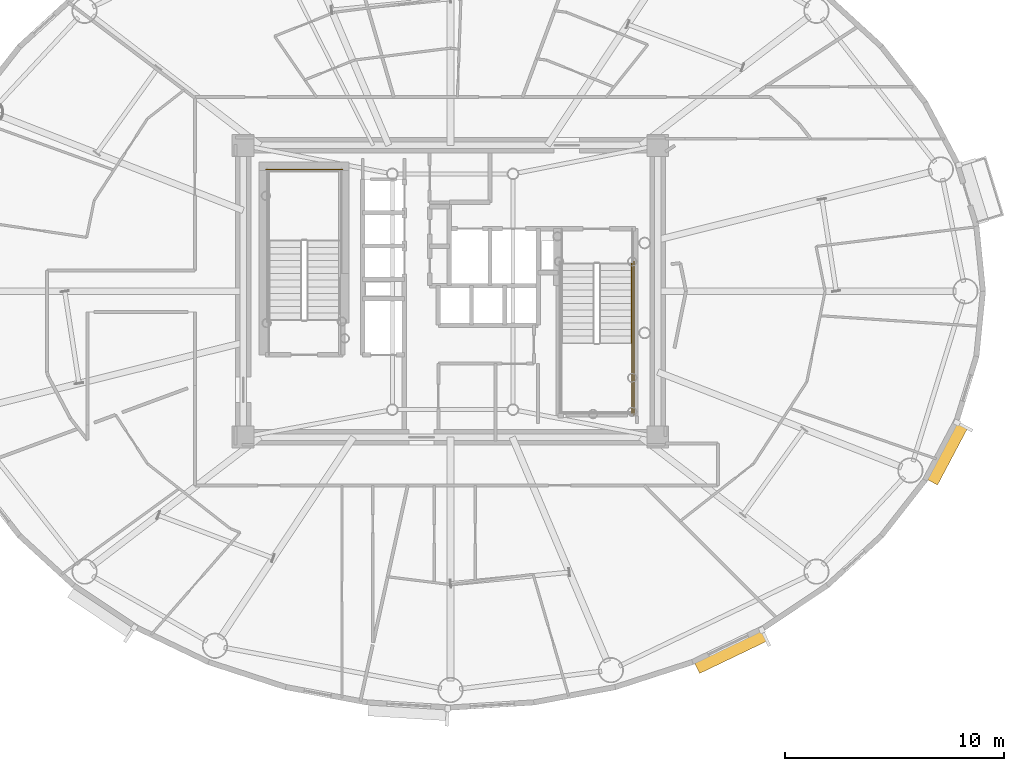
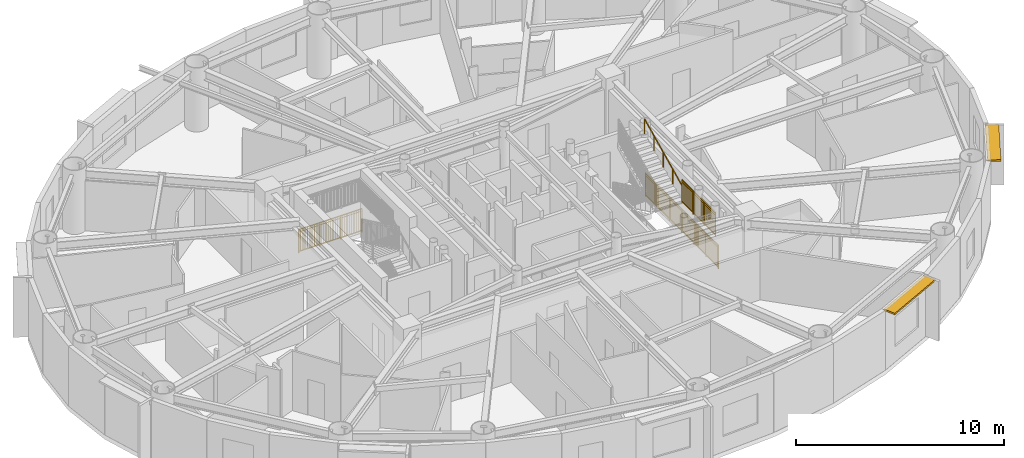
# One storey, part 20 of 22: 4 railings, 2 shading devices.
"""IFC4 building model written with IfcOpenShell, lengths in metres."""

from ifc_helpers import new_model, si_unit, direction, frame, origin, origin_2d, place, context, subcontext, project, spatial, rectangle, extrude, source, transform, mapped, material, layer, layer_set, type_object, element, save


model = new_model("IFC4")

# Units and contexts
model_context = context("Model", 3, precision=1e-05, world=origin(), true_north=direction((0.0, 1.0)))
body_context = subcontext(model_context, "Body", "Model", "MODEL_VIEW")
ifc_project = project(units=[si_unit("LENGTHUNIT", "METRE"), si_unit("AREAUNIT", "SQUARE_METRE"), si_unit("VOLUMEUNIT", "CUBIC_METRE"), si_unit("PLANEANGLEUNIT", "RADIAN"), si_unit("MASSUNIT", "GRAM", prefix="KILO")], contexts=[model_context])

# Site, building, storey
site_placement = place(None, origin())
site = spatial("IfcSite", under=ifc_project, at=site_placement, CompositionType="ELEMENT")
building_placement = place(site_placement, origin())
building = spatial("IfcBuilding", under=site, at=building_placement, Name="Linh Dai School and Residence Tower", CompositionType="ELEMENT")
storey_placement = place(building_placement, frame((0.0, 0.0, 214.050048828125)))
storey = spatial("IfcBuildingStorey", under=building, at=storey_placement, Name="L52", CompositionType="ELEMENT", Elevation=214.050048828125)

# Shading devices
ifc_material_1 = material(Name="Terracotta Ceramic Sunshade", Category="masonry")
ifc_layer = layer(ifc_material_1, 0.10009765625)
ifc_layer_set = layer_set([ifc_layer], Name="Terracotta Ceramic Sunshade")
shading_device_type = type_object("IfcShadingDeviceType", Name="SHD-TC-650", PredefinedType="USERDEFINED", material=ifc_layer_set)
shared_shape_1 = source(origin(), body_context, "Body", "SweptSolid", [
    extrude(rectangle(XDim=3.459716796875, YDim=0.64990234375, at=origin_2d()), origin(), (0.0, 0.0, 1.0), 0.10009765625),
])
shading_device_1_placement = place(storey_placement, frame((48.77880859375, 10.615966796875, 3.3798828125), z_axis=(0.0, 0.0, 1.0), x_axis=(-0.901588864931, -0.432593941973, 0.0)))
element("IfcShadingDevice", 1, at=shading_device_1_placement, inside=storey, type_object=shading_device_type, Name="L52 Terracotta Horizontal Sunshade Band 34", ObjectType="SUNSHADE", PredefinedType="USERDEFINED", context=body_context, shape_type="MappedRepresentation", body=[
    mapped(shared_shape_1, transform((0.0, 0.0, 0.0), x_axis=(1.0, 0.0, 0.0), y_axis=(0.0, 1.0, 0.0), z_axis=(0.0, 0.0, 1.0), scale=1.0)),
])
shared_shape_2 = source(origin(), body_context, "Body", "SweptSolid", [
    extrude(rectangle(XDim=2.986083984375, YDim=0.64990234375, at=origin_2d()), origin(), (0.0, 0.0, 1.0), 0.10009765625),
])
shading_device_2_placement = place(storey_placement, frame((58.614990234375, 19.63623046875, 3.3798828125), z_axis=(0.0, 0.0, 1.0), x_axis=(-0.467621224891, -0.883928950783, 0.0)))
element("IfcShadingDevice", 2, at=shading_device_2_placement, inside=storey, type_object=shading_device_type, Name="L52 Terracotta Horizontal Sunshade Band 38", ObjectType="SUNSHADE", PredefinedType="USERDEFINED", context=body_context, shape_type="MappedRepresentation", body=[
    mapped(shared_shape_2, transform((0.0, 0.0, 0.0), x_axis=(1.0, 0.0, 0.0), y_axis=(0.0, 1.0, 0.0), z_axis=(0.0, 0.0, 1.0), scale=1.0)),
])

# Railings
ifc_material_2 = material(Name="Structural Steel S355JR", Category="steel")
railing_type_1 = type_object("IfcRailingType", Name="RL-ST-GUARD-1400", PredefinedType="GUARDRAIL", material=ifc_material_2)
shared_shape_3 = source(origin(), body_context, "Body", "SweptSolid", [
    extrude(rectangle(XDim=0.048095703125, YDim=0.048095703125, at=origin_2d()), frame((0.0, 0.0, 1.3759765625), z_axis=(-1.0, 0.0, 0.0), x_axis=(0.0, -1.0, 0.0)), (0.0, 0.0, 1.0), 3.5),
    extrude(rectangle(XDim=0.048095703125, YDim=0.048095703125, at=origin_2d()), frame((0.0, 0.0, 0.10009765625), z_axis=(-1.0, 0.0, 0.0), x_axis=(0.0, -1.0, 0.0)), (0.0, 0.0, 1.0), 3.5),
    extrude(rectangle(XDim=0.030029296875, YDim=0.030029296875, at=origin_2d()), frame((0.0, 0.0, 1.239990234375), z_axis=(-1.0, 0.0, 0.0), x_axis=(0.0, -1.0, 0.0)), (0.0, 0.0, 1.0), 3.5),
    extrude(rectangle(XDim=0.02001953125, YDim=0.02001953125, at=origin_2d()), frame((-0.09716796875, 0.0, 0.10009765625)), (0.0, 0.0, 1.0), 1.251708984375),
    extrude(rectangle(XDim=0.02001953125, YDim=0.02001953125, at=origin_2d()), frame((-0.1943359375, 0.0, 0.10009765625)), (0.0, 0.0, 1.0), 1.251708984375),
    extrude(rectangle(XDim=0.02001953125, YDim=0.02001953125, at=origin_2d()), frame((-0.291748046875, 0.0, 0.10009765625)), (0.0, 0.0, 1.0), 1.251708984375),
    extrude(rectangle(XDim=0.02001953125, YDim=0.02001953125, at=origin_2d()), frame((-0.388916015625, 0.0, 0.10009765625)), (0.0, 0.0, 1.0), 1.251708984375),
    extrude(rectangle(XDim=0.02001953125, YDim=0.02001953125, at=origin_2d()), frame((-0.486083984375, 0.0, 0.10009765625)), (0.0, 0.0, 1.0), 1.251708984375),
    extrude(rectangle(XDim=0.02001953125, YDim=0.02001953125, at=origin_2d()), frame((-0.583251953125, 0.0, 0.10009765625)), (0.0, 0.0, 1.0), 1.251708984375),
    extrude(rectangle(XDim=0.02001953125, YDim=0.02001953125, at=origin_2d()), frame((-0.6806640625, 0.0, 0.10009765625)), (0.0, 0.0, 1.0), 1.251708984375),
    extrude(rectangle(XDim=0.02001953125, YDim=0.02001953125, at=origin_2d()), frame((-0.77783203125, 0.0, 0.10009765625)), (0.0, 0.0, 1.0), 1.251708984375),
    extrude(rectangle(XDim=0.02001953125, YDim=0.02001953125, at=origin_2d()), frame((-0.875, 0.0, 0.10009765625)), (0.0, 0.0, 1.0), 1.251708984375),
    extrude(rectangle(XDim=0.02001953125, YDim=0.02001953125, at=origin_2d()), frame((-0.97216796875, 0.0, 0.10009765625)), (0.0, 0.0, 1.0), 1.251708984375),
    extrude(rectangle(XDim=0.02001953125, YDim=0.02001953125, at=origin_2d()), frame((-1.0693359375, 0.0, 0.10009765625)), (0.0, 0.0, 1.0), 1.251708984375),
    extrude(rectangle(XDim=0.02001953125, YDim=0.02001953125, at=origin_2d()), frame((-1.263916015625, 0.0, 0.10009765625)), (0.0, 0.0, 1.0), 1.251708984375),
    extrude(rectangle(XDim=0.02001953125, YDim=0.02001953125, at=origin_2d()), frame((-1.361083984375, 0.0, 0.10009765625)), (0.0, 0.0, 1.0), 1.251708984375),
    extrude(rectangle(XDim=0.02001953125, YDim=0.02001953125, at=origin_2d()), frame((-1.458251953125, 0.0, 0.10009765625)), (0.0, 0.0, 1.0), 1.251708984375),
    extrude(rectangle(XDim=0.02001953125, YDim=0.02001953125, at=origin_2d()), frame((-1.5556640625, 0.0, 0.10009765625)), (0.0, 0.0, 1.0), 1.251708984375),
    extrude(rectangle(XDim=0.02001953125, YDim=0.02001953125, at=origin_2d()), frame((-1.65283203125, 0.0, 0.10009765625)), (0.0, 0.0, 1.0), 1.251708984375),
    extrude(rectangle(XDim=0.02001953125, YDim=0.02001953125, at=origin_2d()), frame((-1.75, 0.0, 0.10009765625)), (0.0, 0.0, 1.0), 1.251708984375),
    extrude(rectangle(XDim=0.02001953125, YDim=0.02001953125, at=origin_2d()), frame((-1.84716796875, 0.0, 0.10009765625)), (0.0, 0.0, 1.0), 1.251708984375),
    extrude(rectangle(XDim=0.02001953125, YDim=0.02001953125, at=origin_2d()), frame((-1.9443359375, 0.0, 0.10009765625)), (0.0, 0.0, 1.0), 1.251708984375),
    extrude(rectangle(XDim=0.02001953125, YDim=0.02001953125, at=origin_2d()), frame((-2.041748046875, 0.0, 0.10009765625)), (0.0, 0.0, 1.0), 1.251708984375),
    extrude(rectangle(XDim=0.02001953125, YDim=0.02001953125, at=origin_2d()), frame((-2.138916015625, 0.0, 0.10009765625)), (0.0, 0.0, 1.0), 1.251708984375),
    extrude(rectangle(XDim=0.02001953125, YDim=0.02001953125, at=origin_2d()), frame((-2.236083984375, 0.0, 0.10009765625)), (0.0, 0.0, 1.0), 1.251708984375),
    extrude(rectangle(XDim=0.02001953125, YDim=0.02001953125, at=origin_2d()), frame((-2.4306640625, 0.0, 0.10009765625)), (0.0, 0.0, 1.0), 1.251708984375),
    extrude(rectangle(XDim=0.02001953125, YDim=0.02001953125, at=origin_2d()), frame((-2.52783203125, 0.0, 0.10009765625)), (0.0, 0.0, 1.0), 1.251708984375),
    extrude(rectangle(XDim=0.02001953125, YDim=0.02001953125, at=origin_2d()), frame((-2.625, 0.0, 0.10009765625)), (0.0, 0.0, 1.0), 1.251708984375),
    extrude(rectangle(XDim=0.02001953125, YDim=0.02001953125, at=origin_2d()), frame((-2.72216796875, 0.0, 0.10009765625)), (0.0, 0.0, 1.0), 1.251708984375),
    extrude(rectangle(XDim=0.02001953125, YDim=0.02001953125, at=origin_2d()), frame((-2.8193359375, 0.0, 0.10009765625)), (0.0, 0.0, 1.0), 1.251708984375),
    extrude(rectangle(XDim=0.02001953125, YDim=0.02001953125, at=origin_2d()), frame((-2.916748046875, 0.0, 0.10009765625)), (0.0, 0.0, 1.0), 1.251708984375),
    extrude(rectangle(XDim=0.02001953125, YDim=0.02001953125, at=origin_2d()), frame((-3.013916015625, 0.0, 0.10009765625)), (0.0, 0.0, 1.0), 1.251708984375),
    extrude(rectangle(XDim=0.02001953125, YDim=0.02001953125, at=origin_2d()), frame((-3.111083984375, 0.0, 0.10009765625)), (0.0, 0.0, 1.0), 1.251708984375),
    extrude(rectangle(XDim=0.02001953125, YDim=0.02001953125, at=origin_2d()), frame((-3.208251953125, 0.0, 0.10009765625)), (0.0, 0.0, 1.0), 1.251708984375),
    extrude(rectangle(XDim=0.02001953125, YDim=0.02001953125, at=origin_2d()), frame((-3.3056640625, 0.0, 0.10009765625)), (0.0, 0.0, 1.0), 1.251708984375),
    extrude(rectangle(XDim=0.02001953125, YDim=0.02001953125, at=origin_2d()), frame((-3.40283203125, 0.0, 0.10009765625)), (0.0, 0.0, 1.0), 1.251708984375),
    extrude(rectangle(XDim=0.0419921875, YDim=0.0419921875, at=origin_2d()), origin(), (0.0, 0.0, 1.0), 1.3759765625),
    extrude(rectangle(XDim=0.0419921875, YDim=0.0419921875, at=origin_2d()), frame((-1.166748046875, 0.0, 0.0)), (0.0, 0.0, 1.0), 1.3759765625),
    extrude(rectangle(XDim=0.0419921875, YDim=0.0419921875, at=origin_2d()), frame((-2.333251953125, 0.0, 0.0)), (0.0, 0.0, 1.0), 1.3759765625),
    extrude(rectangle(XDim=0.0419921875, YDim=0.0419921875, at=origin_2d()), frame((-3.5, 0.0, 0.0)), (0.0, 0.0, 1.0), 1.3759765625),
])
railing_1_placement = place(storey_placement, frame((31.080078125, 32.550048828125, 0.0)))
element("IfcRailing", 3, at=railing_1_placement, inside=storey, type_object=railing_type_1, Name="L52 ST1 stair guard 12", PredefinedType="GUARDRAIL", context=body_context, shape_type="MappedRepresentation", body=[
    mapped(shared_shape_3, transform((0.0, 0.0, 0.0), x_axis=(1.0, 0.0, 0.0), y_axis=(0.0, 1.0, 0.0), z_axis=(0.0, 0.0, 1.0), scale=1.0)),
])
ifc_material_3 = material(Name="Brushed Stainless Steel Handrail", Category="steel")
railing_type_2 = type_object("IfcRailingType", Name="RL-ST-HANDRAIL-900", PredefinedType="HANDRAIL", material=ifc_material_3)
shared_shape_4 = source(origin(), body_context, "Body", "SweptSolid", [
    extrude(rectangle(XDim=0.048095703125, YDim=0.048095703125, at=origin_2d()), frame((0.0, 0.0, 0.8759765625), z_axis=(0.0, 0.901262522062, 0.433273431364), x_axis=(-1.0, 0.0, 0.0)), (0.0, 0.0, 1.0), 3.994384765625),
    extrude(rectangle(XDim=0.0419921875, YDim=0.0419921875, at=origin_2d()), origin(), (0.0, 0.0, 1.0), 0.8759765625),
    extrude(rectangle(XDim=0.0419921875, YDim=0.0419921875, at=origin_2d()), frame((0.0, 0.89990234375, 0.4326171875)), (0.0, 0.0, 1.0), 0.8759765625),
    extrude(rectangle(XDim=0.0419921875, YDim=0.0419921875, at=origin_2d()), frame((0.0, 1.800048828125, 0.865234375)), (0.0, 0.0, 1.0), 0.8759765625),
    extrude(rectangle(XDim=0.0419921875, YDim=0.0419921875, at=origin_2d()), frame((0.0, 2.7001953125, 1.298095703125)), (0.0, 0.0, 1.0), 0.8759765625),
    extrude(rectangle(XDim=0.0419921875, YDim=0.0419921875, at=origin_2d()), frame((0.0, 3.60009765625, 1.730712890625)), (0.0, 0.0, 1.0), 0.8759765625),
])
railing_2_placement = place(storey_placement, frame((44.27001953125, 24.64990234375, 2.019287109375)))
element("IfcRailing", 4, at=railing_2_placement, inside=storey, type_object=railing_type_2, Name="L52 ST2 stair handrail 2", PredefinedType="HANDRAIL", context=body_context, shape_type="MappedRepresentation", body=[
    mapped(shared_shape_4, transform((0.0, 0.0, 0.0), x_axis=(1.0, 0.0, 0.0), y_axis=(0.0, 1.0, 0.0), z_axis=(0.0, 0.0, 1.0), scale=1.0)),
])
shared_shape_5 = source(origin(), body_context, "Body", "SweptSolid", [
    extrude(rectangle(XDim=0.048095703125, YDim=0.048095703125, at=origin_2d()), frame((0.0, 0.0, 1.3759765625), z_axis=(0.0, -1.0, 0.0), x_axis=(1.0, 0.0, 0.0)), (0.0, 0.0, 1.0), 7.0),
    extrude(rectangle(XDim=0.048095703125, YDim=0.048095703125, at=origin_2d()), frame((0.0, 0.0, 0.10009765625), z_axis=(0.0, -1.0, 0.0), x_axis=(1.0, 0.0, 0.0)), (0.0, 0.0, 1.0), 7.0),
    extrude(rectangle(XDim=0.030029296875, YDim=0.030029296875, at=origin_2d()), frame((0.0, 0.0, 1.239990234375), z_axis=(0.0, -1.0, 0.0), x_axis=(1.0, 0.0, 0.0)), (0.0, 0.0, 1.0), 7.0),
    extrude(rectangle(XDim=0.02001953125, YDim=0.02001953125, at=origin_2d()), frame((0.0, -0.09716796875, 0.10009765625)), (0.0, 0.0, 1.0), 1.251708984375),
    extrude(rectangle(XDim=0.02001953125, YDim=0.02001953125, at=origin_2d()), frame((0.0, -0.1943359375, 0.10009765625)), (0.0, 0.0, 1.0), 1.251708984375),
    extrude(rectangle(XDim=0.02001953125, YDim=0.02001953125, at=origin_2d()), frame((0.0, -0.291748046875, 0.10009765625)), (0.0, 0.0, 1.0), 1.251708984375),
    extrude(rectangle(XDim=0.02001953125, YDim=0.02001953125, at=origin_2d()), frame((0.0, -0.388916015625, 0.10009765625)), (0.0, 0.0, 1.0), 1.251708984375),
    extrude(rectangle(XDim=0.02001953125, YDim=0.02001953125, at=origin_2d()), frame((0.0, -0.486083984375, 0.10009765625)), (0.0, 0.0, 1.0), 1.251708984375),
    extrude(rectangle(XDim=0.02001953125, YDim=0.02001953125, at=origin_2d()), frame((0.0, -0.583251953125, 0.10009765625)), (0.0, 0.0, 1.0), 1.251708984375),
    extrude(rectangle(XDim=0.02001953125, YDim=0.02001953125, at=origin_2d()), frame((0.0, -0.6806640625, 0.10009765625)), (0.0, 0.0, 1.0), 1.251708984375),
    extrude(rectangle(XDim=0.02001953125, YDim=0.02001953125, at=origin_2d()), frame((0.0, -0.77783203125, 0.10009765625)), (0.0, 0.0, 1.0), 1.251708984375),
    extrude(rectangle(XDim=0.02001953125, YDim=0.02001953125, at=origin_2d()), frame((0.0, -0.875, 0.10009765625)), (0.0, 0.0, 1.0), 1.251708984375),
    extrude(rectangle(XDim=0.02001953125, YDim=0.02001953125, at=origin_2d()), frame((0.0, -0.97216796875, 0.10009765625)), (0.0, 0.0, 1.0), 1.251708984375),
    extrude(rectangle(XDim=0.02001953125, YDim=0.02001953125, at=origin_2d()), frame((0.0, -1.0693359375, 0.10009765625)), (0.0, 0.0, 1.0), 1.251708984375),
    extrude(rectangle(XDim=0.02001953125, YDim=0.02001953125, at=origin_2d()), frame((0.0, -1.263916015625, 0.10009765625)), (0.0, 0.0, 1.0), 1.251708984375),
    extrude(rectangle(XDim=0.02001953125, YDim=0.02001953125, at=origin_2d()), frame((0.0, -1.361083984375, 0.10009765625)), (0.0, 0.0, 1.0), 1.251708984375),
    extrude(rectangle(XDim=0.02001953125, YDim=0.02001953125, at=origin_2d()), frame((0.0, -1.458251953125, 0.10009765625)), (0.0, 0.0, 1.0), 1.251708984375),
    extrude(rectangle(XDim=0.02001953125, YDim=0.02001953125, at=origin_2d()), frame((0.0, -1.5556640625, 0.10009765625)), (0.0, 0.0, 1.0), 1.251708984375),
    extrude(rectangle(XDim=0.02001953125, YDim=0.02001953125, at=origin_2d()), frame((0.0, -1.65283203125, 0.10009765625)), (0.0, 0.0, 1.0), 1.251708984375),
    extrude(rectangle(XDim=0.02001953125, YDim=0.02001953125, at=origin_2d()), frame((0.0, -1.75, 0.10009765625)), (0.0, 0.0, 1.0), 1.251708984375),
    extrude(rectangle(XDim=0.02001953125, YDim=0.02001953125, at=origin_2d()), frame((0.0, -1.84716796875, 0.10009765625)), (0.0, 0.0, 1.0), 1.251708984375),
    extrude(rectangle(XDim=0.02001953125, YDim=0.02001953125, at=origin_2d()), frame((0.0, -1.9443359375, 0.10009765625)), (0.0, 0.0, 1.0), 1.251708984375),
    extrude(rectangle(XDim=0.02001953125, YDim=0.02001953125, at=origin_2d()), frame((0.0, -2.041748046875, 0.10009765625)), (0.0, 0.0, 1.0), 1.251708984375),
    extrude(rectangle(XDim=0.02001953125, YDim=0.02001953125, at=origin_2d()), frame((0.0, -2.138916015625, 0.10009765625)), (0.0, 0.0, 1.0), 1.251708984375),
    extrude(rectangle(XDim=0.02001953125, YDim=0.02001953125, at=origin_2d()), frame((0.0, -2.236083984375, 0.10009765625)), (0.0, 0.0, 1.0), 1.251708984375),
    extrude(rectangle(XDim=0.02001953125, YDim=0.02001953125, at=origin_2d()), frame((0.0, -2.4306640625, 0.10009765625)), (0.0, 0.0, 1.0), 1.251708984375),
    extrude(rectangle(XDim=0.02001953125, YDim=0.02001953125, at=origin_2d()), frame((0.0, -2.52783203125, 0.10009765625)), (0.0, 0.0, 1.0), 1.251708984375),
    extrude(rectangle(XDim=0.02001953125, YDim=0.02001953125, at=origin_2d()), frame((0.0, -2.625, 0.10009765625)), (0.0, 0.0, 1.0), 1.251708984375),
    extrude(rectangle(XDim=0.02001953125, YDim=0.02001953125, at=origin_2d()), frame((0.0, -2.72216796875, 0.10009765625)), (0.0, 0.0, 1.0), 1.251708984375),
    extrude(rectangle(XDim=0.02001953125, YDim=0.02001953125, at=origin_2d()), frame((0.0, -2.8193359375, 0.10009765625)), (0.0, 0.0, 1.0), 1.251708984375),
    extrude(rectangle(XDim=0.02001953125, YDim=0.02001953125, at=origin_2d()), frame((0.0, -2.916748046875, 0.10009765625)), (0.0, 0.0, 1.0), 1.251708984375),
    extrude(rectangle(XDim=0.02001953125, YDim=0.02001953125, at=origin_2d()), frame((0.0, -3.013916015625, 0.10009765625)), (0.0, 0.0, 1.0), 1.251708984375),
    extrude(rectangle(XDim=0.02001953125, YDim=0.02001953125, at=origin_2d()), frame((0.0, -3.111083984375, 0.10009765625)), (0.0, 0.0, 1.0), 1.251708984375),
    extrude(rectangle(XDim=0.02001953125, YDim=0.02001953125, at=origin_2d()), frame((0.0, -3.208251953125, 0.10009765625)), (0.0, 0.0, 1.0), 1.251708984375),
    extrude(rectangle(XDim=0.02001953125, YDim=0.02001953125, at=origin_2d()), frame((0.0, -3.3056640625, 0.10009765625)), (0.0, 0.0, 1.0), 1.251708984375),
    extrude(rectangle(XDim=0.02001953125, YDim=0.02001953125, at=origin_2d()), frame((0.0, -3.40283203125, 0.10009765625)), (0.0, 0.0, 1.0), 1.251708984375),
    extrude(rectangle(XDim=0.02001953125, YDim=0.02001953125, at=origin_2d()), frame((0.0, -3.59716796875, 0.10009765625)), (0.0, 0.0, 1.0), 1.251708984375),
    extrude(rectangle(XDim=0.02001953125, YDim=0.02001953125, at=origin_2d()), frame((0.0, -3.6943359375, 0.10009765625)), (0.0, 0.0, 1.0), 1.251708984375),
    extrude(rectangle(XDim=0.02001953125, YDim=0.02001953125, at=origin_2d()), frame((0.0, -3.791748046875, 0.10009765625)), (0.0, 0.0, 1.0), 1.251708984375),
    extrude(rectangle(XDim=0.02001953125, YDim=0.02001953125, at=origin_2d()), frame((0.0, -3.888916015625, 0.10009765625)), (0.0, 0.0, 1.0), 1.251708984375),
    extrude(rectangle(XDim=0.02001953125, YDim=0.02001953125, at=origin_2d()), frame((0.0, -3.986083984375, 0.10009765625)), (0.0, 0.0, 1.0), 1.251708984375),
    extrude(rectangle(XDim=0.02001953125, YDim=0.02001953125, at=origin_2d()), frame((0.0, -4.083251953125, 0.10009765625)), (0.0, 0.0, 1.0), 1.251708984375),
    extrude(rectangle(XDim=0.02001953125, YDim=0.02001953125, at=origin_2d()), frame((0.0, -4.1806640625, 0.10009765625)), (0.0, 0.0, 1.0), 1.251708984375),
    extrude(rectangle(XDim=0.02001953125, YDim=0.02001953125, at=origin_2d()), frame((0.0, -4.27783203125, 0.10009765625)), (0.0, 0.0, 1.0), 1.251708984375),
    extrude(rectangle(XDim=0.02001953125, YDim=0.02001953125, at=origin_2d()), frame((0.0, -4.375, 0.10009765625)), (0.0, 0.0, 1.0), 1.251708984375),
    extrude(rectangle(XDim=0.02001953125, YDim=0.02001953125, at=origin_2d()), frame((0.0, -4.47216796875, 0.10009765625)), (0.0, 0.0, 1.0), 1.251708984375),
    extrude(rectangle(XDim=0.02001953125, YDim=0.02001953125, at=origin_2d()), frame((0.0, -4.5693359375, 0.10009765625)), (0.0, 0.0, 1.0), 1.251708984375),
    extrude(rectangle(XDim=0.02001953125, YDim=0.02001953125, at=origin_2d()), frame((0.0, -4.763916015625, 0.10009765625)), (0.0, 0.0, 1.0), 1.251708984375),
    extrude(rectangle(XDim=0.02001953125, YDim=0.02001953125, at=origin_2d()), frame((0.0, -4.861083984375, 0.10009765625)), (0.0, 0.0, 1.0), 1.251708984375),
    extrude(rectangle(XDim=0.02001953125, YDim=0.02001953125, at=origin_2d()), frame((0.0, -4.958251953125, 0.10009765625)), (0.0, 0.0, 1.0), 1.251708984375),
    extrude(rectangle(XDim=0.02001953125, YDim=0.02001953125, at=origin_2d()), frame((0.0, -5.0556640625, 0.10009765625)), (0.0, 0.0, 1.0), 1.251708984375),
    extrude(rectangle(XDim=0.02001953125, YDim=0.02001953125, at=origin_2d()), frame((0.0, -5.15283203125, 0.10009765625)), (0.0, 0.0, 1.0), 1.251708984375),
    extrude(rectangle(XDim=0.02001953125, YDim=0.02001953125, at=origin_2d()), frame((0.0, -5.25, 0.10009765625)), (0.0, 0.0, 1.0), 1.251708984375),
    extrude(rectangle(XDim=0.02001953125, YDim=0.02001953125, at=origin_2d()), frame((0.0, -5.34716796875, 0.10009765625)), (0.0, 0.0, 1.0), 1.251708984375),
    extrude(rectangle(XDim=0.02001953125, YDim=0.02001953125, at=origin_2d()), frame((0.0, -5.4443359375, 0.10009765625)), (0.0, 0.0, 1.0), 1.251708984375),
    extrude(rectangle(XDim=0.02001953125, YDim=0.02001953125, at=origin_2d()), frame((0.0, -5.541748046875, 0.10009765625)), (0.0, 0.0, 1.0), 1.251708984375),
    extrude(rectangle(XDim=0.02001953125, YDim=0.02001953125, at=origin_2d()), frame((0.0, -5.638916015625, 0.10009765625)), (0.0, 0.0, 1.0), 1.251708984375),
    extrude(rectangle(XDim=0.02001953125, YDim=0.02001953125, at=origin_2d()), frame((0.0, -5.736083984375, 0.10009765625)), (0.0, 0.0, 1.0), 1.251708984375),
    extrude(rectangle(XDim=0.02001953125, YDim=0.02001953125, at=origin_2d()), frame((0.0, -5.9306640625, 0.10009765625)), (0.0, 0.0, 1.0), 1.251708984375),
    extrude(rectangle(XDim=0.02001953125, YDim=0.02001953125, at=origin_2d()), frame((0.0, -6.02783203125, 0.10009765625)), (0.0, 0.0, 1.0), 1.251708984375),
    extrude(rectangle(XDim=0.02001953125, YDim=0.02001953125, at=origin_2d()), frame((0.0, -6.125, 0.10009765625)), (0.0, 0.0, 1.0), 1.251708984375),
    extrude(rectangle(XDim=0.02001953125, YDim=0.02001953125, at=origin_2d()), frame((0.0, -6.22216796875, 0.10009765625)), (0.0, 0.0, 1.0), 1.251708984375),
    extrude(rectangle(XDim=0.02001953125, YDim=0.02001953125, at=origin_2d()), frame((0.0, -6.3193359375, 0.10009765625)), (0.0, 0.0, 1.0), 1.251708984375),
    extrude(rectangle(XDim=0.02001953125, YDim=0.02001953125, at=origin_2d()), frame((0.0, -6.416748046875, 0.10009765625)), (0.0, 0.0, 1.0), 1.251708984375),
    extrude(rectangle(XDim=0.02001953125, YDim=0.02001953125, at=origin_2d()), frame((0.0, -6.513916015625, 0.10009765625)), (0.0, 0.0, 1.0), 1.251708984375),
    extrude(rectangle(XDim=0.02001953125, YDim=0.02001953125, at=origin_2d()), frame((0.0, -6.611083984375, 0.10009765625)), (0.0, 0.0, 1.0), 1.251708984375),
    extrude(rectangle(XDim=0.02001953125, YDim=0.02001953125, at=origin_2d()), frame((0.0, -6.708251953125, 0.10009765625)), (0.0, 0.0, 1.0), 1.251708984375),
    extrude(rectangle(XDim=0.02001953125, YDim=0.02001953125, at=origin_2d()), frame((0.0, -6.8056640625, 0.10009765625)), (0.0, 0.0, 1.0), 1.251708984375),
    extrude(rectangle(XDim=0.02001953125, YDim=0.02001953125, at=origin_2d()), frame((0.0, -6.90283203125, 0.10009765625)), (0.0, 0.0, 1.0), 1.251708984375),
    extrude(rectangle(XDim=0.0419921875, YDim=0.0419921875, at=origin_2d()), origin(), (0.0, 0.0, 1.0), 1.3759765625),
    extrude(rectangle(XDim=0.0419921875, YDim=0.0419921875, at=origin_2d()), frame((0.0, -1.166748046875, 0.0)), (0.0, 0.0, 1.0), 1.3759765625),
    extrude(rectangle(XDim=0.0419921875, YDim=0.0419921875, at=origin_2d()), frame((0.0, -2.333251953125, 0.0)), (0.0, 0.0, 1.0), 1.3759765625),
    extrude(rectangle(XDim=0.0419921875, YDim=0.0419921875, at=origin_2d()), frame((0.0, -3.5, 0.0)), (0.0, 0.0, 1.0), 1.3759765625),
    extrude(rectangle(XDim=0.0419921875, YDim=0.0419921875, at=origin_2d()), frame((0.0, -4.666748046875, 0.0)), (0.0, 0.0, 1.0), 1.3759765625),
    extrude(rectangle(XDim=0.0419921875, YDim=0.0419921875, at=origin_2d()), frame((0.0, -5.833251953125, 0.0)), (0.0, 0.0, 1.0), 1.3759765625),
    extrude(rectangle(XDim=0.0419921875, YDim=0.0419921875, at=origin_2d()), frame((0.0, -7.0, 0.0)), (0.0, 0.0, 1.0), 1.3759765625),
])
railing_3_placement = place(storey_placement, frame((44.3701171875, 28.35009765625, 0.0)))
element("IfcRailing", 5, at=railing_3_placement, inside=storey, type_object=railing_type_1, Name="L52 ST2 stair guard 11", PredefinedType="GUARDRAIL", context=body_context, shape_type="MappedRepresentation", body=[
    mapped(shared_shape_5, transform((0.0, 0.0, 0.0), x_axis=(1.0, 0.0, 0.0), y_axis=(0.0, 1.0, 0.0), z_axis=(0.0, 0.0, 1.0), scale=1.0)),
])
shared_shape_6 = source(origin(), body_context, "Body", "SweptSolid", [
    extrude(rectangle(XDim=0.048095703125, YDim=0.048095703125, at=origin_2d()), frame((0.0, 0.0, 1.3759765625), z_axis=(0.0, -1.0, 0.0), x_axis=(1.0, 0.0, 0.0)), (0.0, 0.0, 1.0), 3.199951171875),
    extrude(rectangle(XDim=0.048095703125, YDim=0.048095703125, at=origin_2d()), frame((0.0, 0.0, 0.10009765625), z_axis=(0.0, -1.0, 0.0), x_axis=(1.0, 0.0, 0.0)), (0.0, 0.0, 1.0), 3.199951171875),
    extrude(rectangle(XDim=0.030029296875, YDim=0.030029296875, at=origin_2d()), frame((0.0, 0.0, 1.239990234375), z_axis=(0.0, -1.0, 0.0), x_axis=(1.0, 0.0, 0.0)), (0.0, 0.0, 1.0), 3.199951171875),
    extrude(rectangle(XDim=0.02001953125, YDim=0.02001953125, at=origin_2d()), frame((0.0, -0.096923828125, 0.10009765625)), (0.0, 0.0, 1.0), 1.251708984375),
    extrude(rectangle(XDim=0.02001953125, YDim=0.02001953125, at=origin_2d()), frame((0.0, -0.19384765625, 0.10009765625)), (0.0, 0.0, 1.0), 1.251708984375),
    extrude(rectangle(XDim=0.02001953125, YDim=0.02001953125, at=origin_2d()), frame((0.0, -0.291015625, 0.10009765625)), (0.0, 0.0, 1.0), 1.251708984375),
    extrude(rectangle(XDim=0.02001953125, YDim=0.02001953125, at=origin_2d()), frame((0.0, -0.387939453125, 0.10009765625)), (0.0, 0.0, 1.0), 1.251708984375),
    extrude(rectangle(XDim=0.02001953125, YDim=0.02001953125, at=origin_2d()), frame((0.0, -0.48486328125, 0.10009765625)), (0.0, 0.0, 1.0), 1.251708984375),
    extrude(rectangle(XDim=0.02001953125, YDim=0.02001953125, at=origin_2d()), frame((0.0, -0.581787109375, 0.10009765625)), (0.0, 0.0, 1.0), 1.251708984375),
    extrude(rectangle(XDim=0.02001953125, YDim=0.02001953125, at=origin_2d()), frame((0.0, -0.6787109375, 0.10009765625)), (0.0, 0.0, 1.0), 1.251708984375),
    extrude(rectangle(XDim=0.02001953125, YDim=0.02001953125, at=origin_2d()), frame((0.0, -0.775634765625, 0.10009765625)), (0.0, 0.0, 1.0), 1.251708984375),
    extrude(rectangle(XDim=0.02001953125, YDim=0.02001953125, at=origin_2d()), frame((0.0, -0.872802734375, 0.10009765625)), (0.0, 0.0, 1.0), 1.251708984375),
    extrude(rectangle(XDim=0.02001953125, YDim=0.02001953125, at=origin_2d()), frame((0.0, -0.9697265625, 0.10009765625)), (0.0, 0.0, 1.0), 1.251708984375),
    extrude(rectangle(XDim=0.02001953125, YDim=0.02001953125, at=origin_2d()), frame((0.0, -1.16357421875, 0.10009765625)), (0.0, 0.0, 1.0), 1.251708984375),
    extrude(rectangle(XDim=0.02001953125, YDim=0.02001953125, at=origin_2d()), frame((0.0, -1.260498046875, 0.10009765625)), (0.0, 0.0, 1.0), 1.251708984375),
    extrude(rectangle(XDim=0.02001953125, YDim=0.02001953125, at=origin_2d()), frame((0.0, -1.357666015625, 0.10009765625)), (0.0, 0.0, 1.0), 1.251708984375),
    extrude(rectangle(XDim=0.02001953125, YDim=0.02001953125, at=origin_2d()), frame((0.0, -1.45458984375, 0.10009765625)), (0.0, 0.0, 1.0), 1.251708984375),
    extrude(rectangle(XDim=0.02001953125, YDim=0.02001953125, at=origin_2d()), frame((0.0, -1.551513671875, 0.10009765625)), (0.0, 0.0, 1.0), 1.251708984375),
    extrude(rectangle(XDim=0.02001953125, YDim=0.02001953125, at=origin_2d()), frame((0.0, -1.6484375, 0.10009765625)), (0.0, 0.0, 1.0), 1.251708984375),
    extrude(rectangle(XDim=0.02001953125, YDim=0.02001953125, at=origin_2d()), frame((0.0, -1.745361328125, 0.10009765625)), (0.0, 0.0, 1.0), 1.251708984375),
    extrude(rectangle(XDim=0.02001953125, YDim=0.02001953125, at=origin_2d()), frame((0.0, -1.84228515625, 0.10009765625)), (0.0, 0.0, 1.0), 1.251708984375),
    extrude(rectangle(XDim=0.02001953125, YDim=0.02001953125, at=origin_2d()), frame((0.0, -1.939453125, 0.10009765625)), (0.0, 0.0, 1.0), 1.251708984375),
    extrude(rectangle(XDim=0.02001953125, YDim=0.02001953125, at=origin_2d()), frame((0.0, -2.036376953125, 0.10009765625)), (0.0, 0.0, 1.0), 1.251708984375),
    extrude(rectangle(XDim=0.02001953125, YDim=0.02001953125, at=origin_2d()), frame((0.0, -2.230224609375, 0.10009765625)), (0.0, 0.0, 1.0), 1.251708984375),
    extrude(rectangle(XDim=0.02001953125, YDim=0.02001953125, at=origin_2d()), frame((0.0, -2.3271484375, 0.10009765625)), (0.0, 0.0, 1.0), 1.251708984375),
    extrude(rectangle(XDim=0.02001953125, YDim=0.02001953125, at=origin_2d()), frame((0.0, -2.42431640625, 0.10009765625)), (0.0, 0.0, 1.0), 1.251708984375),
    extrude(rectangle(XDim=0.02001953125, YDim=0.02001953125, at=origin_2d()), frame((0.0, -2.521240234375, 0.10009765625)), (0.0, 0.0, 1.0), 1.251708984375),
    extrude(rectangle(XDim=0.02001953125, YDim=0.02001953125, at=origin_2d()), frame((0.0, -2.6181640625, 0.10009765625)), (0.0, 0.0, 1.0), 1.251708984375),
    extrude(rectangle(XDim=0.02001953125, YDim=0.02001953125, at=origin_2d()), frame((0.0, -2.715087890625, 0.10009765625)), (0.0, 0.0, 1.0), 1.251708984375),
    extrude(rectangle(XDim=0.02001953125, YDim=0.02001953125, at=origin_2d()), frame((0.0, -2.81201171875, 0.10009765625)), (0.0, 0.0, 1.0), 1.251708984375),
    extrude(rectangle(XDim=0.02001953125, YDim=0.02001953125, at=origin_2d()), frame((0.0, -2.908935546875, 0.10009765625)), (0.0, 0.0, 1.0), 1.251708984375),
    extrude(rectangle(XDim=0.02001953125, YDim=0.02001953125, at=origin_2d()), frame((0.0, -3.006103515625, 0.10009765625)), (0.0, 0.0, 1.0), 1.251708984375),
    extrude(rectangle(XDim=0.02001953125, YDim=0.02001953125, at=origin_2d()), frame((0.0, -3.10302734375, 0.10009765625)), (0.0, 0.0, 1.0), 1.251708984375),
    extrude(rectangle(XDim=0.0419921875, YDim=0.0419921875, at=origin_2d()), origin(), (0.0, 0.0, 1.0), 1.3759765625),
    extrude(rectangle(XDim=0.0419921875, YDim=0.0419921875, at=origin_2d()), frame((0.0, -1.066650390625, 0.0)), (0.0, 0.0, 1.0), 1.3759765625),
    extrude(rectangle(XDim=0.0419921875, YDim=0.0419921875, at=origin_2d()), frame((0.0, -2.13330078125, 0.0)), (0.0, 0.0, 1.0), 1.3759765625),
    extrude(rectangle(XDim=0.0419921875, YDim=0.0419921875, at=origin_2d()), frame((0.0, -3.199951171875, 0.0)), (0.0, 0.0, 1.0), 1.3759765625),
])
railing_4_placement = place(storey_placement, frame((44.27001953125, 24.64990234375, 1.875)))
element("IfcRailing", 6, at=railing_4_placement, inside=storey, type_object=railing_type_1, Name="L52 ST2 stair guard 4", PredefinedType="GUARDRAIL", context=body_context, shape_type="MappedRepresentation", body=[
    mapped(shared_shape_6, transform((0.0, 0.0, 0.0), x_axis=(1.0, 0.0, 0.0), y_axis=(0.0, 1.0, 0.0), z_axis=(0.0, 0.0, 1.0), scale=1.0)),
])

save(model, "model.ifc")
